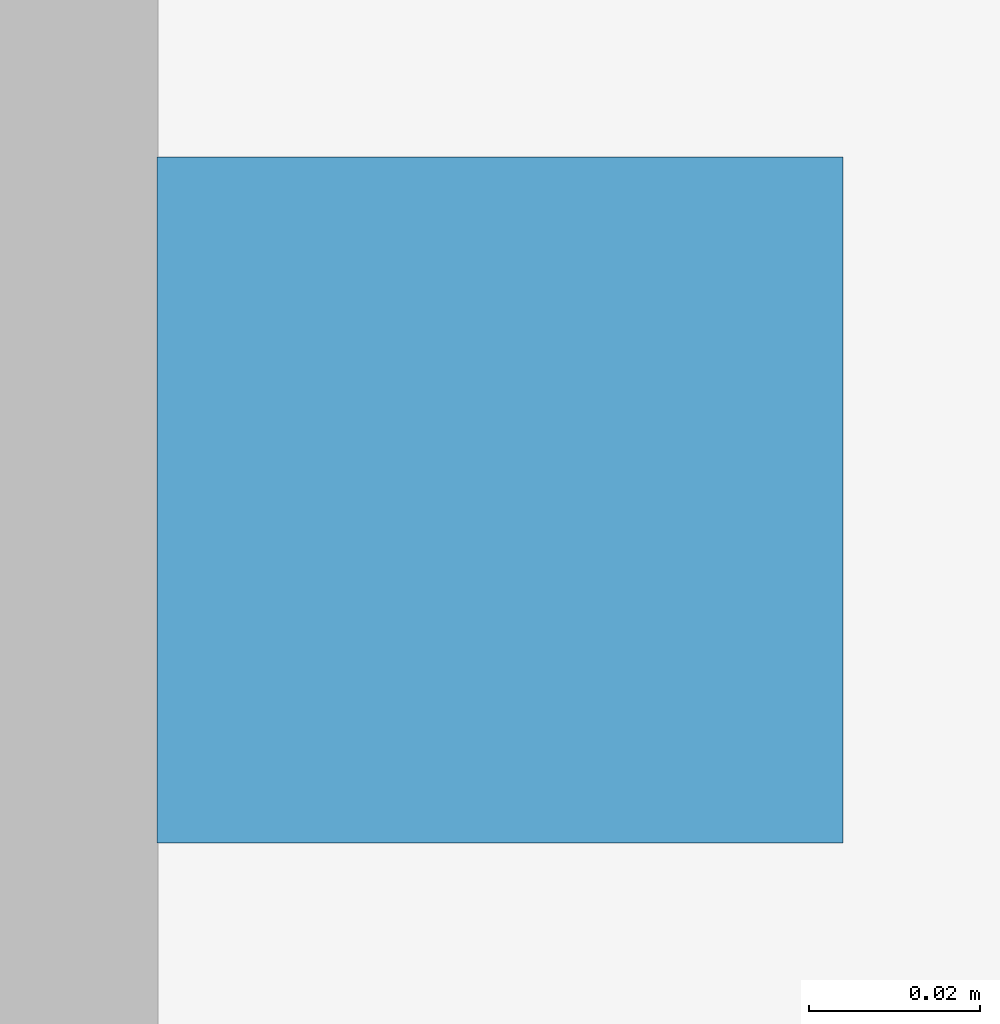
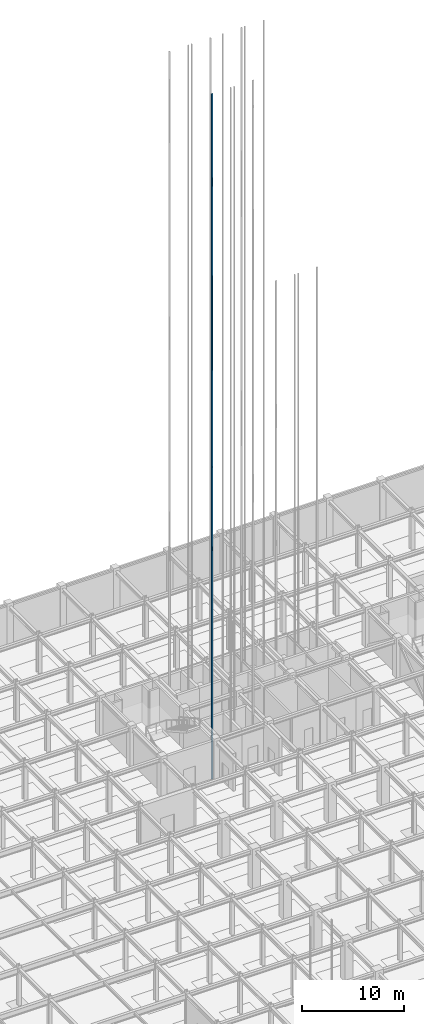
# One storey, part 52 of 69: 1 discrete accessory.
"""IFC4 building model written with IfcOpenShell, lengths in metres."""

from ifc_helpers import new_model, si_unit, direction, frame, origin, origin_2d, place, context, subcontext, project, spatial, rectangle, extrude, material, type_object, element, save


model = new_model("IFC4")

# Units and contexts
model_context = context("Model", 3, precision=1e-05, world=origin(), true_north=direction((0.0, 1.0)))
body_context = subcontext(model_context, "Body", "Model", "MODEL_VIEW")
ifc_project = project(units=[si_unit("LENGTHUNIT", "METRE"), si_unit("AREAUNIT", "SQUARE_METRE"), si_unit("VOLUMEUNIT", "CUBIC_METRE"), si_unit("PLANEANGLEUNIT", "RADIAN"), si_unit("MASSUNIT", "GRAM", prefix="KILO")], contexts=[model_context])

# Site, building, storey
site_placement = place(None, origin())
site = spatial("IfcSite", under=ifc_project, at=site_placement, CompositionType="ELEMENT")
building_placement = place(site_placement, origin())
building = spatial("IfcBuilding", under=site, at=building_placement, Name="Zlatovratsky Civic Hall", CompositionType="ELEMENT")
storey_placement = place(building_placement, frame((0.0, 0.0, -4.800048828125)))
storey = spatial("IfcBuildingStorey", under=building, at=storey_placement, Name="B1", CompositionType="ELEMENT", Elevation=-4.800048828125)

# Discrete accessory
ifc_material = material(Name="Steel S355", Category="steel")
discrete_accessory_type = type_object("IfcDiscreteAccessoryType", Name="Lift_GuideRail", PredefinedType="USERDEFINED", material=ifc_material)
discrete_accessory_placement = place(storey_placement, frame((72.68994140625, 85.85009765625, -1.60009765625), z_axis=(0.0, 0.0, 1.0), x_axis=(1.0, 0.0, 0.0)))
element("IfcDiscreteAccessory", 1, at=discrete_accessory_placement, inside=storey, type_object=discrete_accessory_type, Name="Lift Guide Rail LF-01 L", ObjectType="GUIDE RAIL", PredefinedType="USERDEFINED", context=body_context, shape_type="SweptSolid", body=[
    extrude(rectangle(XDim=0.080078125, YDim=0.080078125, at=origin_2d()), origin(), (0.0, 0.0, 1.0), 81.60009765625),
])

save(model, "model.ifc")
